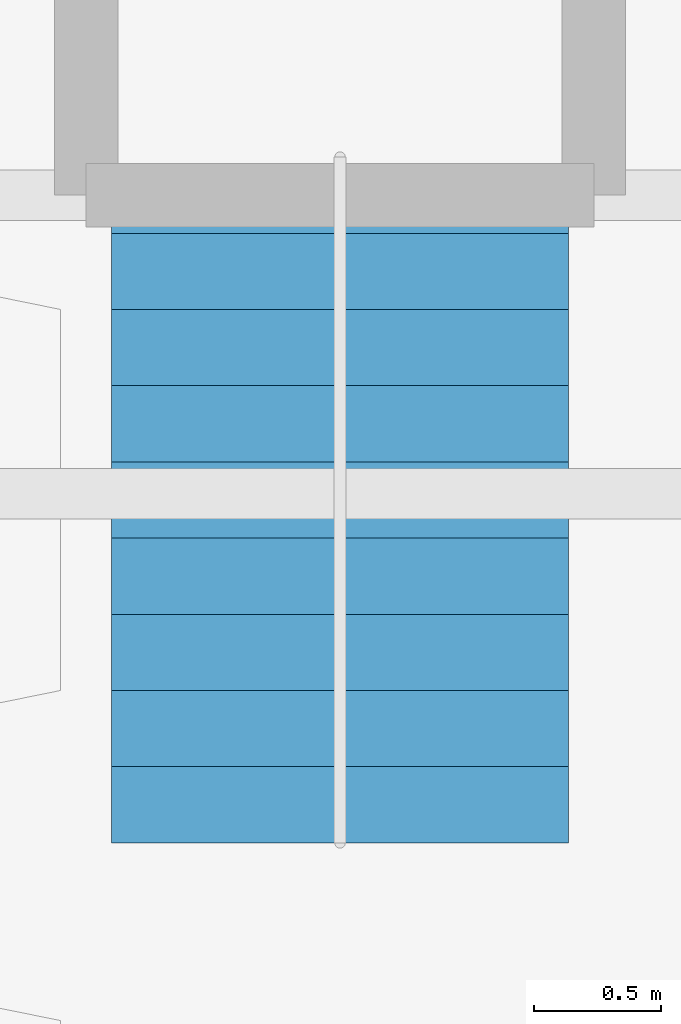
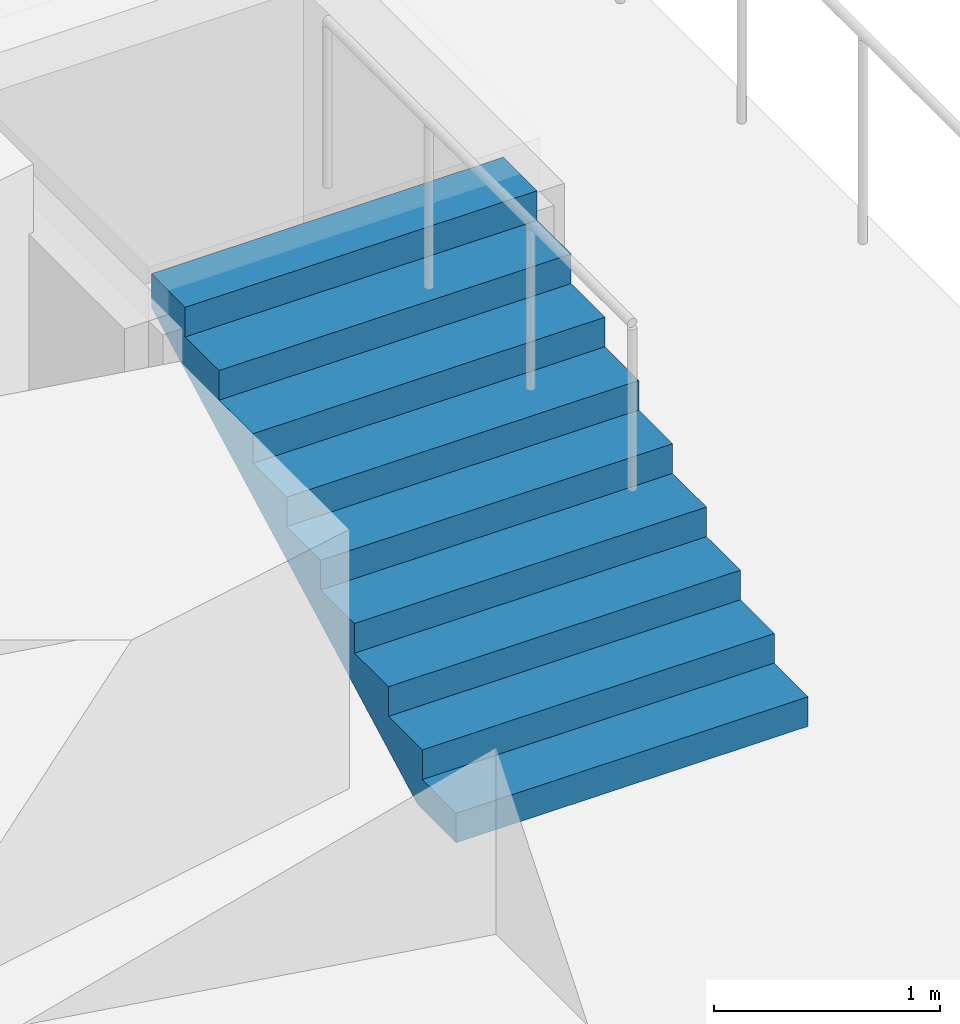
# One storey, part 76 of 86: 1 stair flight, 1 element without a shape of its own.
"""IFC4 building model written with IfcOpenShell, lengths in metres."""

import ifcopenshell
import ifcopenshell.guid

model = None  # the IFC model being written
_history = None  # IfcOwnerHistory: only IFC2X3 demands one
_inside = {}  # id of a spatial element -> (the spatial element, [elements in it])
_under = {}  # id of a project, library or spatial element -> (it, [spatial elements below it])
_declared = {}  # id of a project -> (the project, [libraries it declares])
_typed = {}  # id of a type object -> (the type object, [elements of that type])
_made_of = {}  # id of a material, layer set ... -> (it, [elements and type objects made of it])


def new_model(schema):
    """Start an empty IFC model of exactly this schema.

    Asked for "IFC4X3", IfcOpenShell would pick the latest addendum, in which some entities
    have other attributes; the version numbers below select the first issue.
    IFC2X3 requires an IfcOwnerHistory on every rooted entity: one is made here for all.
    """
    global model, _history
    if schema == "IFC4X3":
        model = ifcopenshell.file(schema_version=(4, 3, 0, 0))
    else:
        model = ifcopenshell.file(schema=schema)
    _inside.clear()
    _under.clear()
    _declared.clear()
    _typed.clear()
    _made_of.clear()
    _history = None
    if model.schema == "IFC2X3":
        org = make("IfcOrganization", Name="unknown")
        user = make(
            "IfcPersonAndOrganization",
            ThePerson=make("IfcPerson", FamilyName="unknown"),
            TheOrganization=org,
        )
        app = make(
            "IfcApplication",
            ApplicationDeveloper=org,
            Version="unknown",
            ApplicationFullName="unknown",
            ApplicationIdentifier="unknown",
        )
        _history = make(
            "IfcOwnerHistory",
            OwningUser=user,
            OwningApplication=app,
            ChangeAction="ADDED",
            CreationDate=0,
        )
    return model


def make(cls, **values):
    """One entity of the class cls with the attributes given. An attribute that is None is left unset."""
    return model.create_entity(
        cls, **{name: value for name, value in values.items() if value is not None}
    )


def rooted(cls, **values):
    """An entity with a GlobalId (a new one), such as an element, a storey or a relation."""
    return make(cls, GlobalId=ifcopenshell.guid.new(), OwnerHistory=_history, **values)


def si_unit(unit_type, name, prefix=None):
    """IfcSIUnit, for example si_unit("LENGTHUNIT", "METRE", prefix="MILLI")."""
    return make("IfcSIUnit", UnitType=unit_type, Prefix=prefix, Name=name)


def assignment(units):
    """IfcUnitAssignment: the units of a project."""
    return None if units is None else make("IfcUnitAssignment", Units=units)


def point(xyz):
    """IfcCartesianPoint."""
    return None if xyz is None else make("IfcCartesianPoint", Coordinates=xyz)


def direction(xyz):
    """IfcDirection."""
    return None if xyz is None else make("IfcDirection", DirectionRatios=xyz)


def frame(location, z_axis=None, x_axis=None):
    """IfcAxis2Placement3D, a coordinate frame: its origin and axes. An axis left out is left unset."""
    return make(
        "IfcAxis2Placement3D",
        Location=point(location),
        Axis=direction(z_axis),
        RefDirection=direction(x_axis),
    )


def origin():
    """The frame at (0, 0, 0) with its axes left unset."""
    return frame((0.0, 0.0, 0.0))


def place(relative_to, where):
    """IfcLocalPlacement: puts the frame where relative to a parent placement (None: the world)."""
    return make(
        "IfcLocalPlacement", PlacementRelTo=relative_to, RelativePlacement=where
    )


def context(
    kind, dimensions, precision=None, world=None, true_north=None, identifier=None
):
    """IfcGeometricRepresentationContext, for example the 3D "Model" context."""
    return make(
        "IfcGeometricRepresentationContext",
        ContextIdentifier=identifier,
        ContextType=kind,
        CoordinateSpaceDimension=dimensions,
        Precision=precision,
        WorldCoordinateSystem=world,
        TrueNorth=true_north,
    )


def subcontext(parent, identifier, kind, view, scale=None):
    """IfcGeometricRepresentationSubContext, for example "Body" below "Model"."""
    return make(
        "IfcGeometricRepresentationSubContext",
        ContextIdentifier=identifier,
        ContextType=kind,
        ParentContext=parent,
        TargetScale=scale,
        TargetView=view,
    )


def project(units=None, contexts=None):
    """IfcProject with its units and contexts."""
    return rooted(
        "IfcProject",
        Name="project",
        RepresentationContexts=contexts,
        UnitsInContext=assignment(units),
    )


def spatial(cls, under=None, at=None, **own):
    """A site, building, storey or space (cls), placed at a placement, below another one or the project."""
    s = rooted(cls, ObjectPlacement=at, **own)
    if under is not None:
        _under.setdefault(under.id(), (under, []))[1].append(s)
    return s


def point_list(points):
    """IfcCartesianPointList2D or 3D."""
    cls = (
        "IfcCartesianPointList2D" if len(points[0]) == 2 else "IfcCartesianPointList3D"
    )
    return make(cls, CoordList=points)


def triangles(points, corners, closed=None, point_numbers=None):
    """IfcTriangulatedFaceSet: each triangle names its three corners, points numbered from 1."""
    return make(
        "IfcTriangulatedFaceSet",
        Coordinates=point_list(points),
        Closed=closed,
        CoordIndex=corners,
        PnIndex=point_numbers,
    )


def shape(context_of_items, identifier, shape_type, items):
    """IfcShapeRepresentation: the items that make up one representation, for example the "Body"."""
    return make(
        "IfcShapeRepresentation",
        ContextOfItems=context_of_items,
        RepresentationIdentifier=identifier,
        RepresentationType=shape_type,
        Items=items,
    )


def material(Name=None, Category=None):
    """IfcMaterial."""
    return make("IfcMaterial", Name=Name, Category=Category)


def layer(
    of_material, thickness, ventilated=None, Name=None, Category=None, Priority=None
):
    """IfcMaterialLayer: one layer of a wall or slab, of a material (None: an air gap)."""
    return make(
        "IfcMaterialLayer",
        Material=of_material,
        LayerThickness=thickness,
        IsVentilated=ventilated,
        Name=Name,
        Category=Category,
        Priority=Priority,
    )


def layer_set(layers, Name=None):
    """IfcMaterialLayerSet."""
    return make("IfcMaterialLayerSet", MaterialLayers=layers, LayerSetName=Name)


def made_of(thing, what):
    """Note that an element or type object is made of a material, layer set ...; save() writes the relation."""
    if what is not None:
        _made_of.setdefault(what.id(), (what, []))[1].append(thing)
    return thing


def type_object(cls, material=None, **own):
    """A type object (cls), such as IfcWallType, which elements share."""
    return made_of(rooted(cls, **own), material)


def element(
    cls,
    number,
    at=None,
    inside=None,
    cuts=None,
    type_object=None,
    material=None,
    context=None,
    identifier="Body",
    shape_type=None,
    held_by="IfcProductDefinitionShape",
    body=None,
    shapes=None,
    **own,
):
    """One element of the class cls, such as IfcWall. Its Tag is "e" and its number.

    at: its placement. inside: the storey or other place that contains it. cuts: it is an
    opening in that element (IfcRelVoidsElement). A single representation is given by context,
    identifier, shape_type and body (its items); several are given by shapes. held_by: the class
    of the entity that holds the representations. save() writes the other relations.
    """
    e = rooted(cls, Tag="e%d" % number, ObjectPlacement=at, **own)
    if body is not None:
        shapes = [shape(context, identifier, shape_type, body)]
    if shapes is not None:
        e.Representation = make(held_by, Representations=shapes)
    if inside is not None:
        _inside.setdefault(inside.id(), (inside, []))[1].append(e)
    if cuts is not None:
        rooted(
            "IfcRelVoidsElement", RelatingBuildingElement=cuts, RelatedOpeningElement=e
        )
    if type_object is not None:
        _typed.setdefault(type_object.id(), (type_object, []))[1].append(e)
    return made_of(e, material)


def aggregate(whole, parts):
    """IfcRelAggregates: a whole, such as a stair, and the parts it consists of."""
    return rooted("IfcRelAggregates", RelatingObject=whole, RelatedObjects=parts)


def save(model, path):
    """Write the relations noted so far, then the file.

    IfcRelAggregates (storeys below a building ...), IfcRelContainedInSpatialStructure (elements
    in a storey), IfcRelDefinesByType, IfcRelAssociatesMaterial and IfcRelDeclares: one each for
    every whole, place, type object, material and project.
    """
    for whole, parts in _under.values():
        aggregate(whole, parts)
    for where, things in _inside.values():
        rooted(
            "IfcRelContainedInSpatialStructure",
            RelatedElements=things,
            RelatingStructure=where,
        )
    for kind, things in _typed.values():
        rooted("IfcRelDefinesByType", RelatedObjects=things, RelatingType=kind)
    for what, things in _made_of.values():
        rooted("IfcRelAssociatesMaterial", RelatedObjects=things, RelatingMaterial=what)
    for by, libraries in _declared.values():
        rooted("IfcRelDeclares", RelatingContext=by, RelatedDefinitions=libraries)
    model.write(path)


model = new_model("IFC4")

# Units and contexts
model_context = context("Model", 3, precision=1e-05, world=origin(), true_north=direction((0.0, 1.0)))
body_context = subcontext(model_context, "Body", "Model", "MODEL_VIEW")
ifc_project = project(units=[si_unit("LENGTHUNIT", "METRE"), si_unit("AREAUNIT", "SQUARE_METRE"), si_unit("VOLUMEUNIT", "CUBIC_METRE"), si_unit("PLANEANGLEUNIT", "RADIAN"), si_unit("MASSUNIT", "GRAM", prefix="KILO")], contexts=[model_context])

# Site, building, storey
site_placement = place(None, origin())
site = spatial("IfcSite", under=ifc_project, at=site_placement, CompositionType="ELEMENT")
building_placement = place(site_placement, origin())
building = spatial("IfcBuilding", under=site, at=building_placement, Name="Solvikara Media Centre", CompositionType="ELEMENT")
storey_placement = place(building_placement, frame((0.0, 0.0, 15.0)))
storey = spatial("IfcBuildingStorey", under=building, at=storey_placement, Name="L03", CompositionType="ELEMENT", Elevation=15.0)

# Stair, stair flight
ifc_material = material(Name="Concrete fc' 35 MPa (C35/45)", Category="concrete")
stair_type = type_object("IfcStairType", Name="SR-07", PredefinedType="STRAIGHT_RUN_STAIR", material=ifc_material)
stair_placement = place(storey_placement, origin())
stair = element("IfcStair", 1, at=stair_placement, inside=storey, type_object=stair_type, Name="ST-AMPH-E", PredefinedType="STRAIGHT_RUN_STAIR")
ifc_layer = layer(ifc_material, 0.159912109375)
ifc_layer_set = layer_set([ifc_layer], Name="Concrete fc' 35 MPa (C35/45)")
stair_flight_type = type_object("IfcStairFlightType", Name="SF-07", PredefinedType="STRAIGHT", material=ifc_layer_set)
stair_flight_placement = place(storey_placement, frame((30.89990234375, 103.25, 0.0), z_axis=(0.0, 0.0, 1.0), x_axis=(0.0, 1.0, 0.0)))
stair_flight = element("IfcStairFlight", 2, at=stair_flight_placement, type_object=stair_flight_type, Name="ST-AMPH-E-F1", NumberOfRisers=10, NumberOfTreads=9, PredefinedType="STRAIGHT", RiserHeight=0.16, TreadLength=0.3, context=body_context, shape_type="Tessellation", body=[
    triangles([(0.33984375, -0.9000244140625, 0.0), (2.699951171875, -0.9000244140625, 1.2587890625), (2.699951171875, -0.9000244140625, 1.43994140625), (2.39990234375, -0.9000244140625, 1.43994140625), (2.39990234375, -0.9000244140625, 1.280029296875), (2.10009765625, -0.9000244140625, 1.280029296875), (2.10009765625, -0.9000244140625, 1.1201171875), (1.800048828125, -0.9000244140625, 1.1201171875), (1.800048828125, -0.9000244140625, 0.9599609375), (1.5, -0.9000244140625, 0.9599609375), (1.5, -0.9000244140625, 0.800048828125), (1.199951171875, -0.9000244140625, 0.800048828125), (1.199951171875, -0.9000244140625, 0.639892578125), (0.89990234375, -0.9000244140625, 0.639892578125), (0.89990234375, -0.9000244140625, 0.47998046875), (0.60009765625, -0.9000244140625, 0.47998046875), (0.60009765625, -0.9000244140625, 0.320068359375), (0.300048828125, -0.9000244140625, 0.320068359375), (0.300048828125, -0.9000244140625, 0.159912109375), (0.0, -0.9000244140625, 0.159912109375), (0.0, -0.9000244140625, 0.0), (0.33984375, -0.675018310546875, 0.0), (2.699951171875, -0.675018310546875, 1.2587890625), (2.699951171875, -0.675018310546875, 1.43994140625), (2.39990234375, -0.675018310546875, 1.43994140625), (2.39990234375, -0.675018310546875, 1.280029296875), (2.10009765625, -0.675018310546875, 1.280029296875), (2.10009765625, -0.675018310546875, 1.1201171875), (1.800048828125, -0.675018310546875, 1.1201171875), (1.800048828125, -0.675018310546875, 0.9599609375), (1.5, -0.675018310546875, 0.9599609375), (1.5, -0.675018310546875, 0.800048828125), (1.199951171875, -0.675018310546875, 0.800048828125), (1.199951171875, -0.675018310546875, 0.639892578125), (0.89990234375, -0.675018310546875, 0.639892578125), (0.89990234375, -0.675018310546875, 0.47998046875), (0.60009765625, -0.675018310546875, 0.47998046875), (0.60009765625, -0.675018310546875, 0.320068359375), (0.300048828125, -0.675018310546875, 0.320068359375), (0.300048828125, -0.675018310546875, 0.159912109375), (0.0, -0.675018310546875, 0.159912109375), (0.0, -0.675018310546875, 0.0), (0.33984375, -0.45001220703125, 0.0), (2.699951171875, -0.45001220703125, 1.2587890625), (2.699951171875, -0.45001220703125, 1.43994140625), (2.39990234375, -0.45001220703125, 1.43994140625), (2.39990234375, -0.45001220703125, 1.280029296875), (2.10009765625, -0.45001220703125, 1.280029296875), (2.10009765625, -0.45001220703125, 1.1201171875), (1.800048828125, -0.45001220703125, 1.1201171875), (1.800048828125, -0.45001220703125, 0.9599609375), (1.5, -0.45001220703125, 0.9599609375), (1.5, -0.45001220703125, 0.800048828125), (1.199951171875, -0.45001220703125, 0.800048828125), (1.199951171875, -0.45001220703125, 0.639892578125), (0.89990234375, -0.45001220703125, 0.639892578125), (0.89990234375, -0.45001220703125, 0.47998046875), (0.60009765625, -0.45001220703125, 0.47998046875), (0.60009765625, -0.45001220703125, 0.320068359375), (0.300048828125, -0.45001220703125, 0.320068359375), (0.300048828125, -0.45001220703125, 0.159912109375), (0.0, -0.45001220703125, 0.159912109375), (0.0, -0.45001220703125, 0.0), (0.33984375, -0.225006103515625, 0.0), (2.699951171875, -0.225006103515625, 1.2587890625), (2.699951171875, -0.225006103515625, 1.43994140625), (2.39990234375, -0.225006103515625, 1.43994140625), (2.39990234375, -0.225006103515625, 1.280029296875), (2.10009765625, -0.225006103515625, 1.280029296875), (2.10009765625, -0.225006103515625, 1.1201171875), (1.800048828125, -0.225006103515625, 1.1201171875), (1.800048828125, -0.225006103515625, 0.9599609375), (1.5, -0.225006103515625, 0.9599609375), (1.5, -0.225006103515625, 0.800048828125), (1.199951171875, -0.225006103515625, 0.800048828125), (1.199951171875, -0.225006103515625, 0.639892578125), (0.89990234375, -0.225006103515625, 0.639892578125), (0.89990234375, -0.225006103515625, 0.47998046875), (0.60009765625, -0.225006103515625, 0.47998046875), (0.60009765625, -0.225006103515625, 0.320068359375), (0.300048828125, -0.225006103515625, 0.320068359375), (0.300048828125, -0.225006103515625, 0.159912109375), (0.0, -0.225006103515625, 0.159912109375), (0.0, -0.225006103515625, 0.0), (0.33984375, 0.0, 0.0), (2.699951171875, 0.0, 1.2587890625), (2.699951171875, 0.0, 1.43994140625), (2.39990234375, 0.0, 1.43994140625), (2.39990234375, 0.0, 1.280029296875), (2.10009765625, 0.0, 1.280029296875), (2.10009765625, 0.0, 1.1201171875), (1.800048828125, 0.0, 1.1201171875), (1.800048828125, 0.0, 0.9599609375), (1.5, 0.0, 0.9599609375), (1.5, 0.0, 0.800048828125), (1.199951171875, 0.0, 0.800048828125), (1.199951171875, 0.0, 0.639892578125), (0.89990234375, 0.0, 0.639892578125), (0.89990234375, 0.0, 0.47998046875), (0.60009765625, 0.0, 0.47998046875), (0.60009765625, 0.0, 0.320068359375), (0.300048828125, 0.0, 0.320068359375), (0.300048828125, 0.0, 0.159912109375), (0.0, 0.0, 0.159912109375), (0.0, 0.0, 0.0), (0.33984375, 0.225006103515625, 0.0), (2.699951171875, 0.225006103515625, 1.2587890625), (2.699951171875, 0.225006103515625, 1.43994140625), (2.39990234375, 0.225006103515625, 1.43994140625), (2.39990234375, 0.225006103515625, 1.280029296875), (2.10009765625, 0.225006103515625, 1.280029296875), (2.10009765625, 0.225006103515625, 1.1201171875), (1.800048828125, 0.225006103515625, 1.1201171875), (1.800048828125, 0.225006103515625, 0.9599609375), (1.5, 0.225006103515625, 0.9599609375), (1.5, 0.225006103515625, 0.800048828125), (1.199951171875, 0.225006103515625, 0.800048828125), (1.199951171875, 0.225006103515625, 0.639892578125), (0.89990234375, 0.225006103515625, 0.639892578125), (0.89990234375, 0.225006103515625, 0.47998046875), (0.60009765625, 0.225006103515625, 0.47998046875), (0.60009765625, 0.225006103515625, 0.320068359375), (0.300048828125, 0.225006103515625, 0.320068359375), (0.300048828125, 0.225006103515625, 0.159912109375), (0.0, 0.225006103515625, 0.159912109375), (0.0, 0.225006103515625, 0.0), (0.33984375, 0.45001220703125, 0.0), (2.699951171875, 0.45001220703125, 1.2587890625), (2.699951171875, 0.45001220703125, 1.43994140625), (2.39990234375, 0.45001220703125, 1.43994140625), (2.39990234375, 0.45001220703125, 1.280029296875), (2.10009765625, 0.45001220703125, 1.280029296875), (2.10009765625, 0.45001220703125, 1.1201171875), (1.800048828125, 0.45001220703125, 1.1201171875), (1.800048828125, 0.45001220703125, 0.9599609375), (1.5, 0.45001220703125, 0.9599609375), (1.5, 0.45001220703125, 0.800048828125), (1.199951171875, 0.45001220703125, 0.800048828125), (1.199951171875, 0.45001220703125, 0.639892578125), (0.89990234375, 0.45001220703125, 0.639892578125), (0.89990234375, 0.45001220703125, 0.47998046875), (0.60009765625, 0.45001220703125, 0.47998046875), (0.60009765625, 0.45001220703125, 0.320068359375), (0.300048828125, 0.45001220703125, 0.320068359375), (0.300048828125, 0.45001220703125, 0.159912109375), (0.0, 0.45001220703125, 0.159912109375), (0.0, 0.45001220703125, 0.0), (0.33984375, 0.675018310546875, 0.0), (2.699951171875, 0.675018310546875, 1.2587890625), (2.699951171875, 0.675018310546875, 1.43994140625), (2.39990234375, 0.675018310546875, 1.43994140625), (2.39990234375, 0.675018310546875, 1.280029296875), (2.10009765625, 0.675018310546875, 1.280029296875), (2.10009765625, 0.675018310546875, 1.1201171875), (1.800048828125, 0.675018310546875, 1.1201171875), (1.800048828125, 0.675018310546875, 0.9599609375), (1.5, 0.675018310546875, 0.9599609375), (1.5, 0.675018310546875, 0.800048828125), (1.199951171875, 0.675018310546875, 0.800048828125), (1.199951171875, 0.675018310546875, 0.639892578125), (0.89990234375, 0.675018310546875, 0.639892578125), (0.89990234375, 0.675018310546875, 0.47998046875), (0.60009765625, 0.675018310546875, 0.47998046875), (0.60009765625, 0.675018310546875, 0.320068359375), (0.300048828125, 0.675018310546875, 0.320068359375), (0.300048828125, 0.675018310546875, 0.159912109375), (0.0, 0.675018310546875, 0.159912109375), (0.0, 0.675018310546875, 0.0), (0.33984375, 0.9000244140625, 0.0), (2.699951171875, 0.9000244140625, 1.2587890625), (2.699951171875, 0.9000244140625, 1.43994140625), (2.39990234375, 0.9000244140625, 1.43994140625), (2.39990234375, 0.9000244140625, 1.280029296875), (2.10009765625, 0.9000244140625, 1.280029296875), (2.10009765625, 0.9000244140625, 1.1201171875), (1.800048828125, 0.9000244140625, 1.1201171875), (1.800048828125, 0.9000244140625, 0.9599609375), (1.5, 0.9000244140625, 0.9599609375), (1.5, 0.9000244140625, 0.800048828125), (1.199951171875, 0.9000244140625, 0.800048828125), (1.199951171875, 0.9000244140625, 0.639892578125), (0.89990234375, 0.9000244140625, 0.639892578125), (0.89990234375, 0.9000244140625, 0.47998046875), (0.60009765625, 0.9000244140625, 0.47998046875), (0.60009765625, 0.9000244140625, 0.320068359375), (0.300048828125, 0.9000244140625, 0.320068359375), (0.300048828125, 0.9000244140625, 0.159912109375), (0.0, 0.9000244140625, 0.159912109375), (0.0, 0.9000244140625, 0.0), (1.5198974609375, -0.7875213623046875, 0.62939453125), (2.699951171875, -0.7875213623046875, 1.349365234375), (2.5499267578125, -0.7875213623046875, 1.43994140625), (2.39990234375, -0.7875213623046875, 1.3599853515625), (2.25, -0.7875213623046875, 1.280029296875), (2.10009765625, -0.7875213623046875, 1.2000732421875), (1.9500732421875, -0.7875213623046875, 1.1201171875), (1.800048828125, -0.7875213623046875, 1.0400390625), (1.6500244140625, -0.7875213623046875, 0.9599609375), (1.5, -0.7875213623046875, 0.8800048828125), (1.3499755859375, -0.7875213623046875, 0.800048828125), (1.199951171875, -0.7875213623046875, 0.719970703125), (1.0499267578125, -0.7875213623046875, 0.639892578125), (0.89990234375, -0.7875213623046875, 0.5599365234375), (0.75, -0.7875213623046875, 0.47998046875), (0.60009765625, -0.7875213623046875, 0.4000244140625), (0.4500732421875, -0.7875213623046875, 0.320068359375), (0.300048828125, -0.7875213623046875, 0.239990234375), (0.1500244140625, -0.7875213623046875, 0.159912109375), (0.0, -0.7875213623046875, 0.0799560546875), (0.169921875, -0.7875213623046875, 0.0), (1.5198974609375, -0.5625152587890625, 0.62939453125), (2.699951171875, -0.5625152587890625, 1.349365234375), (2.5499267578125, -0.5625152587890625, 1.43994140625), (2.39990234375, -0.5625152587890625, 1.3599853515625), (2.25, -0.5625152587890625, 1.280029296875), (2.10009765625, -0.5625152587890625, 1.2000732421875), (1.9500732421875, -0.5625152587890625, 1.1201171875), (1.800048828125, -0.5625152587890625, 1.0400390625), (1.6500244140625, -0.5625152587890625, 0.9599609375), (1.5, -0.5625152587890625, 0.8800048828125), (1.3499755859375, -0.5625152587890625, 0.800048828125), (1.199951171875, -0.5625152587890625, 0.719970703125), (1.0499267578125, -0.5625152587890625, 0.639892578125), (0.89990234375, -0.5625152587890625, 0.5599365234375), (0.75, -0.5625152587890625, 0.47998046875), (0.60009765625, -0.5625152587890625, 0.4000244140625), (0.4500732421875, -0.5625152587890625, 0.320068359375), (0.300048828125, -0.5625152587890625, 0.239990234375), (0.1500244140625, -0.5625152587890625, 0.159912109375), (0.0, -0.5625152587890625, 0.0799560546875), (0.169921875, -0.5625152587890625, 0.0), (1.5198974609375, -0.3375091552734375, 0.62939453125), (2.699951171875, -0.3375091552734375, 1.349365234375), (2.5499267578125, -0.3375091552734375, 1.43994140625), (2.39990234375, -0.3375091552734375, 1.3599853515625), (2.25, -0.3375091552734375, 1.280029296875), (2.10009765625, -0.3375091552734375, 1.2000732421875), (1.9500732421875, -0.3375091552734375, 1.1201171875), (1.800048828125, -0.3375091552734375, 1.0400390625), (1.6500244140625, -0.3375091552734375, 0.9599609375), (1.5, -0.3375091552734375, 0.8800048828125), (1.3499755859375, -0.3375091552734375, 0.800048828125), (1.199951171875, -0.3375091552734375, 0.719970703125), (1.0499267578125, -0.3375091552734375, 0.639892578125), (0.89990234375, -0.3375091552734375, 0.5599365234375), (0.75, -0.3375091552734375, 0.47998046875), (0.60009765625, -0.3375091552734375, 0.4000244140625), (0.4500732421875, -0.3375091552734375, 0.320068359375), (0.300048828125, -0.3375091552734375, 0.239990234375), (0.1500244140625, -0.3375091552734375, 0.159912109375), (0.0, -0.3375091552734375, 0.0799560546875), (0.169921875, -0.3375091552734375, 0.0), (1.5198974609375, -0.1125030517578125, 0.62939453125), (2.699951171875, -0.1125030517578125, 1.349365234375), (2.5499267578125, -0.1125030517578125, 1.43994140625), (2.39990234375, -0.1125030517578125, 1.3599853515625), (2.25, -0.1125030517578125, 1.280029296875), (2.10009765625, -0.1125030517578125, 1.2000732421875), (1.9500732421875, -0.1125030517578125, 1.1201171875), (1.800048828125, -0.1125030517578125, 1.0400390625), (1.6500244140625, -0.1125030517578125, 0.9599609375), (1.5, -0.1125030517578125, 0.8800048828125), (1.3499755859375, -0.1125030517578125, 0.800048828125), (1.199951171875, -0.1125030517578125, 0.719970703125), (1.0499267578125, -0.1125030517578125, 0.639892578125), (0.89990234375, -0.1125030517578125, 0.5599365234375), (0.75, -0.1125030517578125, 0.47998046875), (0.60009765625, -0.1125030517578125, 0.4000244140625), (0.4500732421875, -0.1125030517578125, 0.320068359375), (0.300048828125, -0.1125030517578125, 0.239990234375), (0.1500244140625, -0.1125030517578125, 0.159912109375), (0.0, -0.1125030517578125, 0.0799560546875), (0.169921875, -0.1125030517578125, 0.0), (1.5198974609375, 0.1125030517578125, 0.62939453125), (2.699951171875, 0.1125030517578125, 1.349365234375), (2.5499267578125, 0.1125030517578125, 1.43994140625), (2.39990234375, 0.1125030517578125, 1.3599853515625), (2.25, 0.1125030517578125, 1.280029296875), (2.10009765625, 0.1125030517578125, 1.2000732421875), (1.9500732421875, 0.1125030517578125, 1.1201171875), (1.800048828125, 0.1125030517578125, 1.0400390625), (1.6500244140625, 0.1125030517578125, 0.9599609375), (1.5, 0.1125030517578125, 0.8800048828125), (1.3499755859375, 0.1125030517578125, 0.800048828125), (1.199951171875, 0.1125030517578125, 0.719970703125), (1.0499267578125, 0.1125030517578125, 0.639892578125), (0.89990234375, 0.1125030517578125, 0.5599365234375), (0.75, 0.1125030517578125, 0.47998046875), (0.60009765625, 0.1125030517578125, 0.4000244140625), (0.4500732421875, 0.1125030517578125, 0.320068359375), (0.300048828125, 0.1125030517578125, 0.239990234375), (0.1500244140625, 0.1125030517578125, 0.159912109375), (0.0, 0.1125030517578125, 0.0799560546875), (0.169921875, 0.1125030517578125, 0.0), (1.5198974609375, 0.3375091552734375, 0.62939453125), (2.699951171875, 0.3375091552734375, 1.349365234375), (2.5499267578125, 0.3375091552734375, 1.43994140625), (2.39990234375, 0.3375091552734375, 1.3599853515625), (2.25, 0.3375091552734375, 1.280029296875), (2.10009765625, 0.3375091552734375, 1.2000732421875), (1.9500732421875, 0.3375091552734375, 1.1201171875), (1.800048828125, 0.3375091552734375, 1.0400390625), (1.6500244140625, 0.3375091552734375, 0.9599609375), (1.5, 0.3375091552734375, 0.8800048828125), (1.3499755859375, 0.3375091552734375, 0.800048828125), (1.199951171875, 0.3375091552734375, 0.719970703125), (1.0499267578125, 0.3375091552734375, 0.639892578125), (0.89990234375, 0.3375091552734375, 0.5599365234375), (0.75, 0.3375091552734375, 0.47998046875), (0.60009765625, 0.3375091552734375, 0.4000244140625), (0.4500732421875, 0.3375091552734375, 0.320068359375), (0.300048828125, 0.3375091552734375, 0.239990234375), (0.1500244140625, 0.3375091552734375, 0.159912109375), (0.0, 0.3375091552734375, 0.0799560546875), (0.169921875, 0.3375091552734375, 0.0), (1.5198974609375, 0.5625152587890625, 0.62939453125), (2.699951171875, 0.5625152587890625, 1.349365234375), (2.5499267578125, 0.5625152587890625, 1.43994140625), (2.39990234375, 0.5625152587890625, 1.3599853515625), (2.25, 0.5625152587890625, 1.280029296875), (2.10009765625, 0.5625152587890625, 1.2000732421875), (1.9500732421875, 0.5625152587890625, 1.1201171875), (1.800048828125, 0.5625152587890625, 1.0400390625), (1.6500244140625, 0.5625152587890625, 0.9599609375), (1.5, 0.5625152587890625, 0.8800048828125), (1.3499755859375, 0.5625152587890625, 0.800048828125), (1.199951171875, 0.5625152587890625, 0.719970703125), (1.0499267578125, 0.5625152587890625, 0.639892578125), (0.89990234375, 0.5625152587890625, 0.5599365234375), (0.75, 0.5625152587890625, 0.47998046875), (0.60009765625, 0.5625152587890625, 0.4000244140625), (0.4500732421875, 0.5625152587890625, 0.320068359375), (0.300048828125, 0.5625152587890625, 0.239990234375), (0.1500244140625, 0.5625152587890625, 0.159912109375), (0.0, 0.5625152587890625, 0.0799560546875), (0.169921875, 0.5625152587890625, 0.0), (1.5198974609375, 0.7875213623046875, 0.62939453125), (2.699951171875, 0.7875213623046875, 1.349365234375), (2.5499267578125, 0.7875213623046875, 1.43994140625), (2.39990234375, 0.7875213623046875, 1.3599853515625), (2.25, 0.7875213623046875, 1.280029296875), (2.10009765625, 0.7875213623046875, 1.2000732421875), (1.9500732421875, 0.7875213623046875, 1.1201171875), (1.800048828125, 0.7875213623046875, 1.0400390625), (1.6500244140625, 0.7875213623046875, 0.9599609375), (1.5, 0.7875213623046875, 0.8800048828125), (1.3499755859375, 0.7875213623046875, 0.800048828125), (1.199951171875, 0.7875213623046875, 0.719970703125), (1.0499267578125, 0.7875213623046875, 0.639892578125), (0.89990234375, 0.7875213623046875, 0.5599365234375), (0.75, 0.7875213623046875, 0.47998046875), (0.60009765625, 0.7875213623046875, 0.4000244140625), (0.4500732421875, 0.7875213623046875, 0.320068359375), (0.300048828125, 0.7875213623046875, 0.239990234375), (0.1500244140625, 0.7875213623046875, 0.159912109375), (0.0, 0.7875213623046875, 0.0799560546875), (0.169921875, 0.7875213623046875, 0.0)], [[1, 22, 190], [22, 23, 190], [23, 2, 190], [2, 1, 190], [2, 23, 191], [23, 24, 191], [24, 3, 191], [3, 2, 191], [3, 24, 192], [24, 25, 192], [25, 4, 192], [4, 3, 192], [4, 25, 193], [25, 26, 193], [26, 5, 193], [5, 4, 193], [5, 26, 194], [26, 27, 194], [27, 6, 194], [6, 5, 194], [6, 27, 195], [27, 28, 195], [28, 7, 195], [7, 6, 195], [7, 28, 196], [28, 29, 196], [29, 8, 196], [8, 7, 196], [8, 29, 197], [29, 30, 197], [30, 9, 197], [9, 8, 197], [9, 30, 198], [30, 31, 198], [31, 10, 198], [10, 9, 198], [10, 31, 199], [31, 32, 199], [32, 11, 199], [11, 10, 199], [11, 32, 200], [32, 33, 200], [33, 12, 200], [12, 11, 200], [12, 33, 201], [33, 34, 201], [34, 13, 201], [13, 12, 201], [13, 34, 202], [34, 35, 202], [35, 14, 202], [14, 13, 202], [14, 35, 203], [35, 36, 203], [36, 15, 203], [15, 14, 203], [15, 36, 204], [36, 37, 204], [37, 16, 204], [16, 15, 204], [16, 37, 205], [37, 38, 205], [38, 17, 205], [17, 16, 205], [17, 38, 206], [38, 39, 206], [39, 18, 206], [18, 17, 206], [18, 39, 207], [39, 40, 207], [40, 19, 207], [19, 18, 207], [19, 40, 208], [40, 41, 208], [41, 20, 208], [20, 19, 208], [20, 41, 209], [41, 42, 209], [42, 21, 209], [21, 20, 209], [21, 42, 210], [42, 22, 210], [22, 1, 210], [1, 21, 210], [22, 43, 211], [43, 44, 211], [44, 23, 211], [23, 22, 211], [23, 44, 212], [44, 45, 212], [45, 24, 212], [24, 23, 212], [24, 45, 213], [45, 46, 213], [46, 25, 213], [25, 24, 213], [25, 46, 214], [46, 47, 214], [47, 26, 214], [26, 25, 214], [26, 47, 215], [47, 48, 215], [48, 27, 215], [27, 26, 215], [27, 48, 216], [48, 49, 216], [49, 28, 216], [28, 27, 216], [28, 49, 217], [49, 50, 217], [50, 29, 217], [29, 28, 217], [29, 50, 218], [50, 51, 218], [51, 30, 218], [30, 29, 218], [30, 51, 219], [51, 52, 219], [52, 31, 219], [31, 30, 219], [31, 52, 220], [52, 53, 220], [53, 32, 220], [32, 31, 220], [32, 53, 221], [53, 54, 221], [54, 33, 221], [33, 32, 221], [33, 54, 222], [54, 55, 222], [55, 34, 222], [34, 33, 222], [34, 55, 223], [55, 56, 223], [56, 35, 223], [35, 34, 223], [35, 56, 224], [56, 57, 224], [57, 36, 224], [36, 35, 224], [36, 57, 225], [57, 58, 225], [58, 37, 225], [37, 36, 225], [37, 58, 226], [58, 59, 226], [59, 38, 226], [38, 37, 226], [38, 59, 227], [59, 60, 227], [60, 39, 227], [39, 38, 227], [39, 60, 228], [60, 61, 228], [61, 40, 228], [40, 39, 228], [40, 61, 229], [61, 62, 229], [62, 41, 229], [41, 40, 229], [41, 62, 230], [62, 63, 230], [63, 42, 230], [42, 41, 230], [42, 63, 231], [63, 43, 231], [43, 22, 231], [22, 42, 231], [43, 64, 232], [64, 65, 232], [65, 44, 232], [44, 43, 232], [44, 65, 233], [65, 66, 233], [66, 45, 233], [45, 44, 233], [45, 66, 234], [66, 67, 234], [67, 46, 234], [46, 45, 234], [46, 67, 235], [67, 68, 235], [68, 47, 235], [47, 46, 235], [47, 68, 236], [68, 69, 236], [69, 48, 236], [48, 47, 236], [48, 69, 237], [69, 70, 237], [70, 49, 237], [49, 48, 237], [49, 70, 238], [70, 71, 238], [71, 50, 238], [50, 49, 238], [50, 71, 239], [71, 72, 239], [72, 51, 239], [51, 50, 239], [51, 72, 240], [72, 73, 240], [73, 52, 240], [52, 51, 240], [52, 73, 241], [73, 74, 241], [74, 53, 241], [53, 52, 241], [53, 74, 242], [74, 75, 242], [75, 54, 242], [54, 53, 242], [54, 75, 243], [75, 76, 243], [76, 55, 243], [55, 54, 243], [55, 76, 244], [76, 77, 244], [77, 56, 244], [56, 55, 244], [56, 77, 245], [77, 78, 245], [78, 57, 245], [57, 56, 245], [57, 78, 246], [78, 79, 246], [79, 58, 246], [58, 57, 246], [58, 79, 247], [79, 80, 247], [80, 59, 247], [59, 58, 247], [59, 80, 248], [80, 81, 248], [81, 60, 248], [60, 59, 248], [60, 81, 249], [81, 82, 249], [82, 61, 249], [61, 60, 249], [61, 82, 250], [82, 83, 250], [83, 62, 250], [62, 61, 250], [62, 83, 251], [83, 84, 251], [84, 63, 251], [63, 62, 251], [63, 84, 252], [84, 64, 252], [64, 43, 252], [43, 63, 252], [64, 85, 253], [85, 86, 253], [86, 65, 253], [65, 64, 253], [65, 86, 254], [86, 87, 254], [87, 66, 254], [66, 65, 254], [66, 87, 255], [87, 88, 255], [88, 67, 255], [67, 66, 255], [67, 88, 256], [88, 89, 256], [89, 68, 256], [68, 67, 256], [68, 89, 257], [89, 90, 257], [90, 69, 257], [69, 68, 257], [69, 90, 258], [90, 91, 258], [91, 70, 258], [70, 69, 258], [70, 91, 259], [91, 92, 259], [92, 71, 259], [71, 70, 259], [71, 92, 260], [92, 93, 260], [93, 72, 260], [72, 71, 260], [72, 93, 261], [93, 94, 261], [94, 73, 261], [73, 72, 261], [73, 94, 262], [94, 95, 262], [95, 74, 262], [74, 73, 262], [74, 95, 263], [95, 96, 263], [96, 75, 263], [75, 74, 263], [75, 96, 264], [96, 97, 264], [97, 76, 264], [76, 75, 264], [76, 97, 265], [97, 98, 265], [98, 77, 265], [77, 76, 265], [77, 98, 266], [98, 99, 266], [99, 78, 266], [78, 77, 266], [78, 99, 267], [99, 100, 267], [100, 79, 267], [79, 78, 267], [79, 100, 268], [100, 101, 268], [101, 80, 268], [80, 79, 268], [80, 101, 269], [101, 102, 269], [102, 81, 269], [81, 80, 269], [81, 102, 270], [102, 103, 270], [103, 82, 270], [82, 81, 270], [82, 103, 271], [103, 104, 271], [104, 83, 271], [83, 82, 271], [83, 104, 272], [104, 105, 272], [105, 84, 272], [84, 83, 272], [84, 105, 273], [105, 85, 273], [85, 64, 273], [64, 84, 273], [85, 106, 274], [106, 107, 274], [107, 86, 274], [86, 85, 274], [86, 107, 275], [107, 108, 275], [108, 87, 275], [87, 86, 275], [87, 108, 276], [108, 109, 276], [109, 88, 276], [88, 87, 276], [88, 109, 277], [109, 110, 277], [110, 89, 277], [89, 88, 277], [89, 110, 278], [110, 111, 278], [111, 90, 278], [90, 89, 278], [90, 111, 279], [111, 112, 279], [112, 91, 279], [91, 90, 279], [91, 112, 280], [112, 113, 280], [113, 92, 280], [92, 91, 280], [92, 113, 281], [113, 114, 281], [114, 93, 281], [93, 92, 281], [93, 114, 282], [114, 115, 282], [115, 94, 282], [94, 93, 282], [94, 115, 283], [115, 116, 283], [116, 95, 283], [95, 94, 283], [95, 116, 284], [116, 117, 284], [117, 96, 284], [96, 95, 284], [96, 117, 285], [117, 118, 285], [118, 97, 285], [97, 96, 285], [97, 118, 286], [118, 119, 286], [119, 98, 286], [98, 97, 286], [98, 119, 287], [119, 120, 287], [120, 99, 287], [99, 98, 287], [99, 120, 288], [120, 121, 288], [121, 100, 288], [100, 99, 288], [100, 121, 289], [121, 122, 289], [122, 101, 289], [101, 100, 289], [101, 122, 290], [122, 123, 290], [123, 102, 290], [102, 101, 290], [102, 123, 291], [123, 124, 291], [124, 103, 291], [103, 102, 291], [103, 124, 292], [124, 125, 292], [125, 104, 292], [104, 103, 292], [104, 125, 293], [125, 126, 293], [126, 105, 293], [105, 104, 293], [105, 126, 294], [126, 106, 294], [106, 85, 294], [85, 105, 294], [106, 127, 295], [127, 128, 295], [128, 107, 295], [107, 106, 295], [107, 128, 296], [128, 129, 296], [129, 108, 296], [108, 107, 296], [108, 129, 297], [129, 130, 297], [130, 109, 297], [109, 108, 297], [109, 130, 298], [130, 131, 298], [131, 110, 298], [110, 109, 298], [110, 131, 299], [131, 132, 299], [132, 111, 299], [111, 110, 299], [111, 132, 300], [132, 133, 300], [133, 112, 300], [112, 111, 300], [112, 133, 301], [133, 134, 301], [134, 113, 301], [113, 112, 301], [113, 134, 302], [134, 135, 302], [135, 114, 302], [114, 113, 302], [114, 135, 303], [135, 136, 303], [136, 115, 303], [115, 114, 303], [115, 136, 304], [136, 137, 304], [137, 116, 304], [116, 115, 304], [116, 137, 305], [137, 138, 305], [138, 117, 305], [117, 116, 305], [117, 138, 306], [138, 139, 306], [139, 118, 306], [118, 117, 306], [118, 139, 307], [139, 140, 307], [140, 119, 307], [119, 118, 307], [119, 140, 308], [140, 141, 308], [141, 120, 308], [120, 119, 308], [120, 141, 309], [141, 142, 309], [142, 121, 309], [121, 120, 309], [121, 142, 310], [142, 143, 310], [143, 122, 310], [122, 121, 310], [122, 143, 311], [143, 144, 311], [144, 123, 311], [123, 122, 311], [123, 144, 312], [144, 145, 312], [145, 124, 312], [124, 123, 312], [124, 145, 313], [145, 146, 313], [146, 125, 313], [125, 124, 313], [125, 146, 314], [146, 147, 314], [147, 126, 314], [126, 125, 314], [126, 147, 315], [147, 127, 315], [127, 106, 315], [106, 126, 315], [127, 148, 316], [148, 149, 316], [149, 128, 316], [128, 127, 316], [128, 149, 317], [149, 150, 317], [150, 129, 317], [129, 128, 317], [129, 150, 318], [150, 151, 318], [151, 130, 318], [130, 129, 318], [130, 151, 319], [151, 152, 319], [152, 131, 319], [131, 130, 319], [131, 152, 320], [152, 153, 320], [153, 132, 320], [132, 131, 320], [132, 153, 321], [153, 154, 321], [154, 133, 321], [133, 132, 321], [133, 154, 322], [154, 155, 322], [155, 134, 322], [134, 133, 322], [134, 155, 323], [155, 156, 323], [156, 135, 323], [135, 134, 323], [135, 156, 324], [156, 157, 324], [157, 136, 324], [136, 135, 324], [136, 157, 325], [157, 158, 325], [158, 137, 325], [137, 136, 325], [137, 158, 326], [158, 159, 326], [159, 138, 326], [138, 137, 326], [138, 159, 327], [159, 160, 327], [160, 139, 327], [139, 138, 327], [139, 160, 328], [160, 161, 328], [161, 140, 328], [140, 139, 328], [140, 161, 329], [161, 162, 329], [162, 141, 329], [141, 140, 329], [141, 162, 330], [162, 163, 330], [163, 142, 330], [142, 141, 330], [142, 163, 331], [163, 164, 331], [164, 143, 331], [143, 142, 331], [143, 164, 332], [164, 165, 332], [165, 144, 332], [144, 143, 332], [144, 165, 333], [165, 166, 333], [166, 145, 333], [145, 144, 333], [145, 166, 334], [166, 167, 334], [167, 146, 334], [146, 145, 334], [146, 167, 335], [167, 168, 335], [168, 147, 335], [147, 146, 335], [147, 168, 336], [168, 148, 336], [148, 127, 336], [127, 147, 336], [148, 169, 337], [169, 170, 337], [170, 149, 337], [149, 148, 337], [149, 170, 338], [170, 171, 338], [171, 150, 338], [150, 149, 338], [150, 171, 339], [171, 172, 339], [172, 151, 339], [151, 150, 339], [151, 172, 340], [172, 173, 340], [173, 152, 340], [152, 151, 340], [152, 173, 341], [173, 174, 341], [174, 153, 341], [153, 152, 341], [153, 174, 342], [174, 175, 342], [175, 154, 342], [154, 153, 342], [154, 175, 343], [175, 176, 343], [176, 155, 343], [155, 154, 343], [155, 176, 344], [176, 177, 344], [177, 156, 344], [156, 155, 344], [156, 177, 345], [177, 178, 345], [178, 157, 345], [157, 156, 345], [157, 178, 346], [178, 179, 346], [179, 158, 346], [158, 157, 346], [158, 179, 347], [179, 180, 347], [180, 159, 347], [159, 158, 347], [159, 180, 348], [180, 181, 348], [181, 160, 348], [160, 159, 348], [160, 181, 349], [181, 182, 349], [182, 161, 349], [161, 160, 349], [161, 182, 350], [182, 183, 350], [183, 162, 350], [162, 161, 350], [162, 183, 351], [183, 184, 351], [184, 163, 351], [163, 162, 351], [163, 184, 352], [184, 185, 352], [185, 164, 352], [164, 163, 352], [164, 185, 353], [185, 186, 353], [186, 165, 353], [165, 164, 353], [165, 186, 354], [186, 187, 354], [187, 166, 354], [166, 165, 354], [166, 187, 355], [187, 188, 355], [188, 167, 355], [167, 166, 355], [167, 188, 356], [188, 189, 356], [189, 168, 356], [168, 167, 356], [168, 189, 357], [189, 169, 357], [169, 148, 357], [148, 168, 357], [21, 1, 2], [189, 170, 169], [2, 3, 4], [170, 172, 171], [2, 4, 5], [170, 173, 172], [2, 5, 6], [170, 174, 173], [2, 6, 7], [170, 175, 174], [7, 8, 9], [175, 177, 176], [2, 7, 9], [170, 177, 175], [9, 10, 11], [177, 179, 178], [2, 9, 11], [170, 179, 177], [11, 12, 13], [179, 181, 180], [2, 11, 13], [170, 181, 179], [13, 14, 15], [181, 183, 182], [2, 13, 15], [170, 183, 181], [15, 16, 17], [183, 185, 184], [2, 15, 17], [170, 185, 183], [17, 18, 19], [185, 187, 186], [2, 17, 19], [170, 187, 185], [21, 2, 19], [189, 187, 170], [19, 20, 21], [187, 189, 188]], closed=True),
])
aggregate(stair, [stair_flight])

save(model, "model.ifc")
